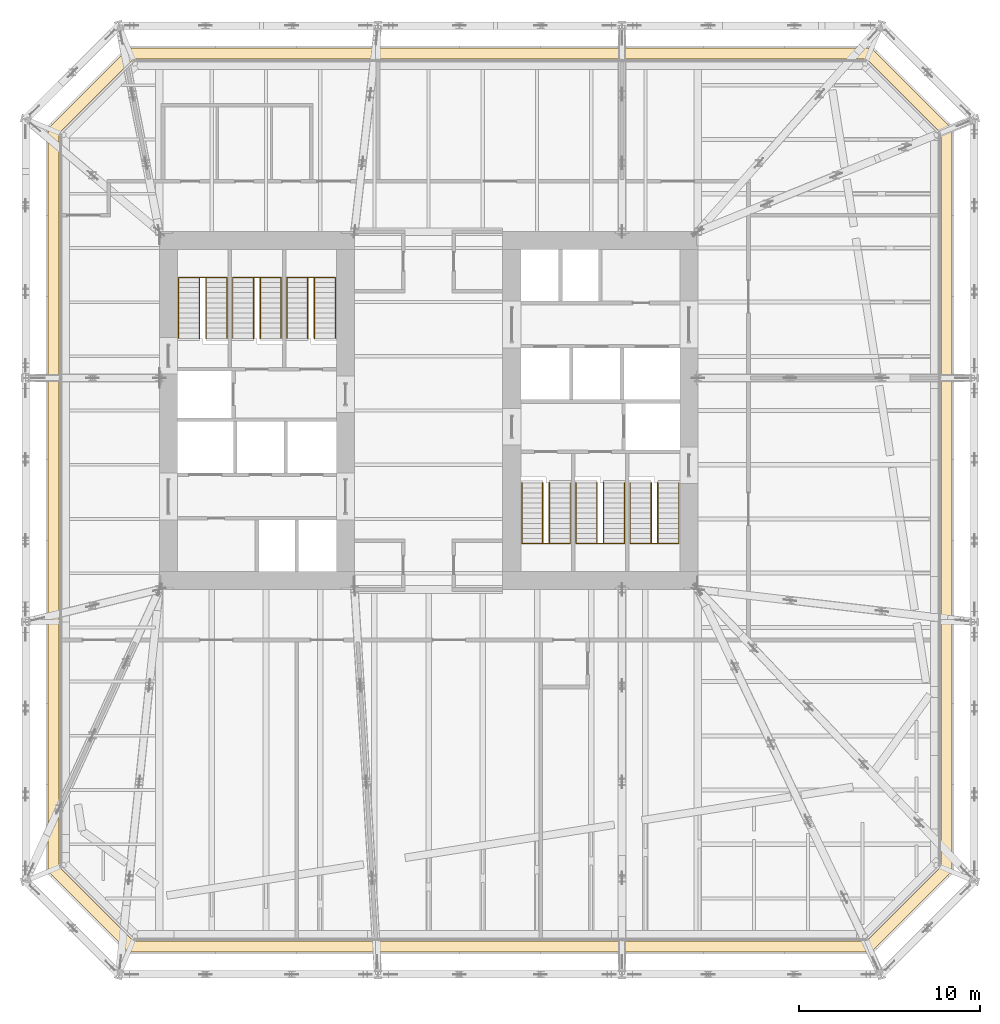
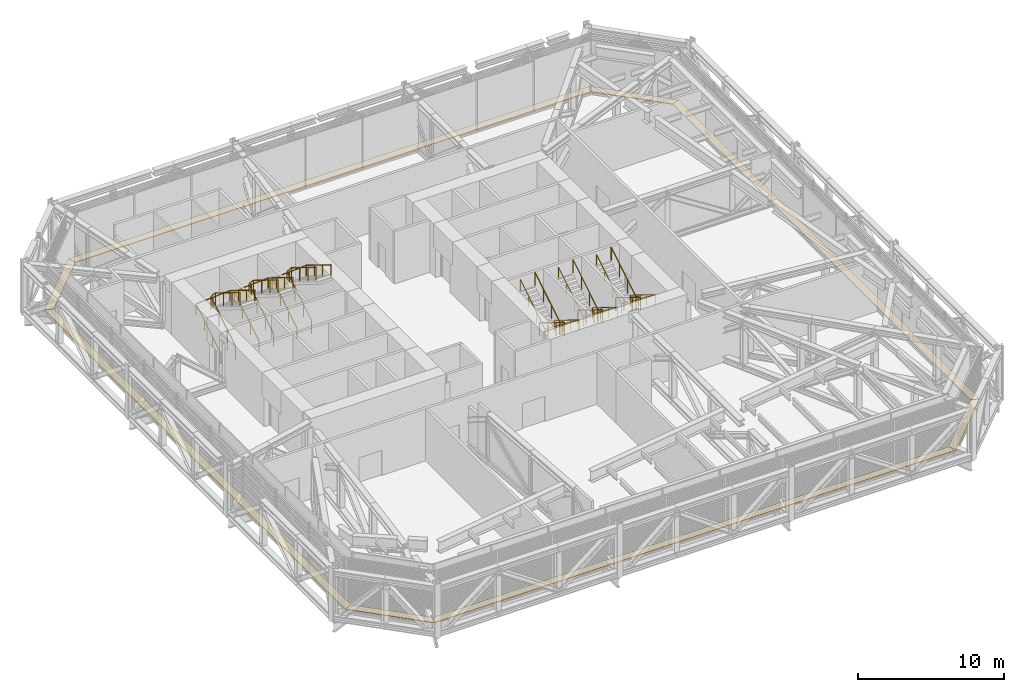
# One storey, part 31 of 31: 12 railings, 8 coverings.
"""IFC4 building model written with IfcOpenShell, lengths in metres."""

from ifc_helpers import new_model, si_unit, direction, frame, origin, origin_2d, place, context, subcontext, project, spatial, polyline, circle, outline, extrude, material, layer, layer_set, type_object, element, save


model = new_model("IFC4")

# Units and contexts
model_context = context("Model", 3, precision=1e-05, world=origin(), true_north=direction((0.0, 1.0)))
body_context = subcontext(model_context, "Body", "Model", "MODEL_VIEW")
ifc_project = project(units=[si_unit("LENGTHUNIT", "METRE"), si_unit("AREAUNIT", "SQUARE_METRE"), si_unit("VOLUMEUNIT", "CUBIC_METRE"), si_unit("PLANEANGLEUNIT", "RADIAN"), si_unit("MASSUNIT", "GRAM", prefix="KILO")], contexts=[model_context])

# Site, building, storey
site_placement = place(None, origin())
site = spatial("IfcSite", under=ifc_project, at=site_placement, CompositionType="ELEMENT")
building_placement = place(site_placement, origin())
building = spatial("IfcBuilding", under=site, at=building_placement, Name="Millrace Tower", CompositionType="ELEMENT")
storey_placement = place(building_placement, frame((0.0, 0.0, 120.39990234375)))
storey = spatial("IfcBuildingStorey", under=building, at=storey_placement, Name="L26", CompositionType="ELEMENT", Elevation=120.39990234375)

# Coverings
ifc_material_1 = material(Name="Steel ASTM A36", Category="steel")
ifc_layer = layer(ifc_material_1, 0.050048828125)
ifc_layer_set = layer_set([ifc_layer], Name="Steel ASTM A36")
covering_type = type_object("IfcCoveringType", Name="CAVITY CATWALK steel grating", PredefinedType="FLOORING", material=ifc_layer_set)
placement = place(storey_placement, frame((0.0, 0.0, 0.10009765625)))
element("IfcCovering", 1, at=placement, inside=storey, type_object=covering_type, Name="Cavity catwalk grating B-F01 L26 1", PredefinedType="FLOORING", context=body_context, shape_type="SweptSolid", body=[
    extrude(outline(polyline([(-21.050048828125, -25.5107421875), (-16.610595703125, -29.949951171875), (-16.362060546875, -29.35009765625), (-20.449951171875, -25.26220703125), (-21.050048828125, -25.5107421875)])), origin(), (0.0, 0.0, 1.0), 0.050048828125),
])
element("IfcCovering", 2, at=placement, inside=storey, type_object=covering_type, Name="Cavity catwalk grating B-F02 L26 1", PredefinedType="FLOORING", context=body_context, shape_type="SweptSolid", body=[
    extrude(outline(polyline([(-16.610595703125, -29.949951171875), (24.5107421875, -29.949951171875), (24.26220703125, -29.35009765625), (-16.362060546875, -29.35009765625), (-16.610595703125, -29.949951171875)])), origin(), (0.0, 0.0, 1.0), 0.050048828125),
])
element("IfcCovering", 3, at=placement, inside=storey, type_object=covering_type, Name="Cavity catwalk grating B-F03 L26 1", PredefinedType="FLOORING", context=body_context, shape_type="SweptSolid", body=[
    extrude(outline(polyline([(24.5107421875, -29.949951171875), (28.949951171875, -25.5107421875), (28.35009765625, -25.26220703125), (24.26220703125, -29.35009765625), (24.5107421875, -29.949951171875)])), origin(), (0.0, 0.0, 1.0), 0.050048828125),
])
element("IfcCovering", 4, at=placement, inside=storey, type_object=covering_type, Name="Cavity catwalk grating B-F04 L26 1", PredefinedType="FLOORING", context=body_context, shape_type="SweptSolid", body=[
    extrude(outline(polyline([(28.949951171875, -25.5107421875), (28.949951171875, 15.610595703125), (28.35009765625, 15.362060546875), (28.35009765625, -25.26220703125), (28.949951171875, -25.5107421875)])), origin(), (0.0, 0.0, 1.0), 0.050048828125),
])
element("IfcCovering", 5, at=placement, inside=storey, type_object=covering_type, Name="Cavity catwalk grating B-F05 L26 1", PredefinedType="FLOORING", context=body_context, shape_type="SweptSolid", body=[
    extrude(outline(polyline([(28.949951171875, 15.610595703125), (24.5107421875, 20.050048828125), (24.26220703125, 19.449951171875), (28.35009765625, 15.362060546875), (28.949951171875, 15.610595703125)])), origin(), (0.0, 0.0, 1.0), 0.050048828125),
])
element("IfcCovering", 6, at=placement, inside=storey, type_object=covering_type, Name="Cavity catwalk grating B-F06 L26 1", PredefinedType="FLOORING", context=body_context, shape_type="SweptSolid", body=[
    extrude(outline(polyline([(24.5107421875, 20.050048828125), (-16.610595703125, 20.050048828125), (-16.362060546875, 19.449951171875), (24.26220703125, 19.449951171875), (24.5107421875, 20.050048828125)])), origin(), (0.0, 0.0, 1.0), 0.050048828125),
])
element("IfcCovering", 7, at=placement, inside=storey, type_object=covering_type, Name="Cavity catwalk grating B-F07 L26 1", PredefinedType="FLOORING", context=body_context, shape_type="SweptSolid", body=[
    extrude(outline(polyline([(-16.610595703125, 20.050048828125), (-21.050048828125, 15.610595703125), (-20.449951171875, 15.362060546875), (-16.362060546875, 19.449951171875), (-16.610595703125, 20.050048828125)])), origin(), (0.0, 0.0, 1.0), 0.050048828125),
])
element("IfcCovering", 8, at=placement, inside=storey, type_object=covering_type, Name="Cavity catwalk grating B-F08 L26 1", PredefinedType="FLOORING", context=body_context, shape_type="SweptSolid", body=[
    extrude(outline(polyline([(-21.050048828125, 15.610595703125), (-21.050048828125, -25.5107421875), (-20.449951171875, -25.26220703125), (-20.449951171875, 15.362060546875), (-21.050048828125, 15.610595703125)])), origin(), (0.0, 0.0, 1.0), 0.050048828125),
])

# Railings
ifc_material_2 = material(Name="Stainless steel ASTM A240 type 316", Category="steel")
railing_type_1 = type_object("IfcRailingType", Name="Stair guard 1100", PredefinedType="GUARDRAIL", material=ifc_material_2)
for number, where, name in (
    (9, (-12.679931640625, 4.0, 0.173095703125), "Stair guard 1 W L26"),
    (10, (-9.679931640625, 4.0, 0.173095703125), "Stair guard 2 W L26"),
    (11, (-6.679931640625, 4.0, 0.173095703125), "Stair guard 3 W L26"),
):
    element("IfcRailing", number, at=place(storey_placement, frame(where)), inside=storey, type_object=railing_type_1, Name=name, PredefinedType="GUARDRAIL", context=body_context, shape_type="SweptSolid", body=[
        extrude(circle(Radius=0.02392578125, at=origin_2d()), frame((0.0, 0.0, 1.076171875), z_axis=(0.0, 0.850623216509, 0.525775754039), x_axis=(-1.0, 0.0, 0.0)), (0.0, 0.0, 1.0), 3.9501953125),
        extrude(circle(Radius=0.02392578125, at=origin_2d()), frame((0.0, 3.360107421875, 3.15283203125), z_axis=(0.901169764794, 0.0, 0.433466325128), x_axis=(0.0, 1.0, 0.0)), (0.0, 0.0, 1.0), 0.3994140625),
        extrude(circle(Radius=0.02392578125, at=origin_2d()), frame((0.35986328125, 3.360107421875, 3.326171875), z_axis=(0.0, -0.850623216509, 0.525775754039), x_axis=(1.0, 0.0, 0.0)), (0.0, 0.0, 1.0), 3.9501953125),
        extrude(circle(Radius=0.02099609375, at=origin_2d()), origin(), (0.0, 0.0, 1.0), 1.052001953125),
        extrude(circle(Radius=0.02099609375, at=origin_2d()), frame((0.0, 1.1201171875, 0.6923828125)), (0.0, 0.0, 1.0), 1.052001953125),
        extrude(circle(Radius=0.02099609375, at=origin_2d()), frame((0.0, 2.239990234375, 1.384521484375)), (0.0, 0.0, 1.0), 1.052001953125),
        extrude(circle(Radius=0.02099609375, at=origin_2d()), frame((0.0, 3.360107421875, 2.076904296875)), (0.0, 0.0, 1.0), 1.052001953125),
        extrude(circle(Radius=0.02099609375, at=origin_2d()), frame((0.35986328125, 3.360107421875, 2.25)), (0.0, 0.0, 1.0), 1.052001953125),
        extrude(circle(Radius=0.02099609375, at=origin_2d()), frame((0.35986328125, 2.239990234375, 2.9423828125)), (0.0, 0.0, 1.0), 1.052001953125),
        extrude(circle(Radius=0.02099609375, at=origin_2d()), frame((0.35986328125, 1.1201171875, 3.634521484375)), (0.0, 0.0, 1.0), 1.052001953125),
        extrude(circle(Radius=0.02099609375, at=origin_2d()), frame((0.35986328125, 0.0, 4.326904296875)), (0.0, 0.0, 1.0), 1.052001953125),
    ])
for number, where, name in (
    (12, (12.679931640625, -4.0, 0.173095703125), "Stair guard 1 E L26"),
    (13, (9.679931640625, -4.0, 0.173095703125), "Stair guard 2 E L26"),
    (14, (6.679931640625, -4.0, 0.173095703125), "Stair guard 3 E L26"),
):
    element("IfcRailing", number, at=place(storey_placement, frame(where)), inside=storey, type_object=railing_type_1, Name=name, PredefinedType="GUARDRAIL", context=body_context, shape_type="SweptSolid", body=[
        extrude(circle(Radius=0.02392578125, at=origin_2d()), frame((0.0, 0.0, 1.076171875), z_axis=(0.0, -0.850623216509, 0.525775754039), x_axis=(1.0, 0.0, 0.0)), (0.0, 0.0, 1.0), 3.9501953125),
        extrude(circle(Radius=0.02392578125, at=origin_2d()), frame((0.0, -3.360107421875, 3.15283203125), z_axis=(-0.901169764794, 0.0, 0.433466325128), x_axis=(0.0, -1.0, 0.0)), (0.0, 0.0, 1.0), 0.3994140625),
        extrude(circle(Radius=0.02392578125, at=origin_2d()), frame((-0.35986328125, -3.360107421875, 3.326171875), z_axis=(0.0, 0.850623216509, 0.525775754039), x_axis=(-1.0, 0.0, 0.0)), (0.0, 0.0, 1.0), 3.9501953125),
        extrude(circle(Radius=0.02099609375, at=origin_2d()), origin(), (0.0, 0.0, 1.0), 1.052001953125),
        extrude(circle(Radius=0.02099609375, at=origin_2d()), frame((0.0, -1.1201171875, 0.6923828125)), (0.0, 0.0, 1.0), 1.052001953125),
        extrude(circle(Radius=0.02099609375, at=origin_2d()), frame((0.0, -2.239990234375, 1.384521484375)), (0.0, 0.0, 1.0), 1.052001953125),
        extrude(circle(Radius=0.02099609375, at=origin_2d()), frame((0.0, -3.360107421875, 2.076904296875)), (0.0, 0.0, 1.0), 1.052001953125),
        extrude(circle(Radius=0.02099609375, at=origin_2d()), frame((-0.35986328125, -3.360107421875, 2.25)), (0.0, 0.0, 1.0), 1.052001953125),
        extrude(circle(Radius=0.02099609375, at=origin_2d()), frame((-0.35986328125, -2.239990234375, 2.9423828125)), (0.0, 0.0, 1.0), 1.052001953125),
        extrude(circle(Radius=0.02099609375, at=origin_2d()), frame((-0.35986328125, -1.1201171875, 3.634521484375)), (0.0, 0.0, 1.0), 1.052001953125),
        extrude(circle(Radius=0.02099609375, at=origin_2d()), frame((-0.35986328125, 0.0, 4.326904296875)), (0.0, 0.0, 1.0), 1.052001953125),
    ])
ifc_material_3 = material(Name="Stainless steel ASTM A240 type 316", Category="steel")
railing_type_2 = type_object("IfcRailingType", Name="Stair handrail 900", PredefinedType="HANDRAIL", material=ifc_material_3)
railing_1_placement = place(storey_placement, frame((-13.840087890625, 4.0, 0.173095703125)))
element("IfcRailing", 15, at=railing_1_placement, inside=storey, type_object=railing_type_2, Name="Stair handrail 1 W L26", PredefinedType="HANDRAIL", context=body_context, shape_type="SweptSolid", body=[
    extrude(circle(Radius=0.02392578125, at=origin_2d()), frame((0.0, 0.0, 0.8759765625), z_axis=(0.0, 0.850623216509, 0.525775754039), x_axis=(-1.0, 0.0, 0.0)), (0.0, 0.0, 1.0), 3.9501953125),
    extrude(circle(Radius=0.02392578125, at=origin_2d()), frame((0.0, 3.360107421875, 2.95263671875), z_axis=(0.997920973561, 0.0, 0.064449441634), x_axis=(0.0, 1.0, 0.0)), (0.0, 0.0, 1.0), 2.685791015625),
    extrude(circle(Radius=0.02392578125, at=origin_2d()), frame((2.68017578125, 3.360107421875, 3.1259765625), z_axis=(0.0, -0.850623216509, 0.525775754039), x_axis=(1.0, 0.0, 0.0)), (0.0, 0.0, 1.0), 3.9501953125),
    extrude(circle(Radius=0.02099609375, at=origin_2d()), origin(), (0.0, 0.0, 1.0), 0.851806640625),
    extrude(circle(Radius=0.02099609375, at=origin_2d()), frame((0.0, 1.1201171875, 0.6923828125)), (0.0, 0.0, 1.0), 0.851806640625),
    extrude(circle(Radius=0.02099609375, at=origin_2d()), frame((0.0, 2.239990234375, 1.384521484375)), (0.0, 0.0, 1.0), 0.851806640625),
    extrude(circle(Radius=0.02099609375, at=origin_2d()), frame((0.0, 3.360107421875, 2.076904296875)), (0.0, 0.0, 1.0), 0.851806640625),
    extrude(circle(Radius=0.02099609375, at=origin_2d()), frame((1.340087890625, 3.360107421875, 2.16357421875)), (0.0, 0.0, 1.0), 0.851806640625),
    extrude(circle(Radius=0.02099609375, at=origin_2d()), frame((2.68017578125, 3.360107421875, 2.25)), (0.0, 0.0, 1.0), 0.851806640625),
    extrude(circle(Radius=0.02099609375, at=origin_2d()), frame((2.68017578125, 2.239990234375, 2.9423828125)), (0.0, 0.0, 1.0), 0.851806640625),
    extrude(circle(Radius=0.02099609375, at=origin_2d()), frame((2.68017578125, 1.1201171875, 3.634521484375)), (0.0, 0.0, 1.0), 0.851806640625),
    extrude(circle(Radius=0.02099609375, at=origin_2d()), frame((2.68017578125, 0.0, 4.326904296875)), (0.0, 0.0, 1.0), 0.851806640625),
])
railing_2_placement = place(storey_placement, frame((-10.840087890625, 4.0, 0.173095703125)))
element("IfcRailing", 16, at=railing_2_placement, inside=storey, type_object=railing_type_2, Name="Stair handrail 2 W L26", PredefinedType="HANDRAIL", context=body_context, shape_type="SweptSolid", body=[
    extrude(circle(Radius=0.02392578125, at=origin_2d()), frame((0.0, 0.0, 0.8759765625), z_axis=(0.0, 0.850623216509, 0.525775754039), x_axis=(-1.0, 0.0, 0.0)), (0.0, 0.0, 1.0), 3.9501953125),
    extrude(circle(Radius=0.02392578125, at=origin_2d()), frame((0.0, 3.360107421875, 2.95263671875), z_axis=(0.997920973561, 0.0, 0.064449441634), x_axis=(0.0, 1.0, 0.0)), (0.0, 0.0, 1.0), 2.685791015625),
    extrude(circle(Radius=0.02392578125, at=origin_2d()), frame((2.68017578125, 3.360107421875, 3.1259765625), z_axis=(0.0, -0.850623216509, 0.525775754039), x_axis=(1.0, 0.0, 0.0)), (0.0, 0.0, 1.0), 3.9501953125),
    extrude(circle(Radius=0.02099609375, at=origin_2d()), origin(), (0.0, 0.0, 1.0), 0.851806640625),
    extrude(circle(Radius=0.02099609375, at=origin_2d()), frame((0.0, 1.1201171875, 0.6923828125)), (0.0, 0.0, 1.0), 0.851806640625),
    extrude(circle(Radius=0.02099609375, at=origin_2d()), frame((0.0, 2.239990234375, 1.384521484375)), (0.0, 0.0, 1.0), 0.851806640625),
    extrude(circle(Radius=0.02099609375, at=origin_2d()), frame((0.0, 3.360107421875, 2.076904296875)), (0.0, 0.0, 1.0), 0.851806640625),
    extrude(circle(Radius=0.02099609375, at=origin_2d()), frame((1.340087890625, 3.360107421875, 2.16357421875)), (0.0, 0.0, 1.0), 0.851806640625),
    extrude(circle(Radius=0.02099609375, at=origin_2d()), frame((2.68017578125, 3.360107421875, 2.25)), (0.0, 0.0, 1.0), 0.851806640625),
    extrude(circle(Radius=0.02099609375, at=origin_2d()), frame((2.68017578125, 2.239990234375, 2.9423828125)), (0.0, 0.0, 1.0), 0.851806640625),
    extrude(circle(Radius=0.02099609375, at=origin_2d()), frame((2.68017578125, 1.1201171875, 3.634521484375)), (0.0, 0.0, 1.0), 0.851806640625),
    extrude(circle(Radius=0.02099609375, at=origin_2d()), frame((2.68017578125, 0.0, 4.326904296875)), (0.0, 0.0, 1.0), 0.851806640625),
])
railing_3_placement = place(storey_placement, frame((-7.840087890625, 4.0, 0.173095703125)))
element("IfcRailing", 17, at=railing_3_placement, inside=storey, type_object=railing_type_2, Name="Stair handrail 3 W L26", PredefinedType="HANDRAIL", context=body_context, shape_type="SweptSolid", body=[
    extrude(circle(Radius=0.02392578125, at=origin_2d()), frame((0.0, 0.0, 0.8759765625), z_axis=(0.0, 0.850623216509, 0.525775754039), x_axis=(-1.0, 0.0, 0.0)), (0.0, 0.0, 1.0), 3.9501953125),
    extrude(circle(Radius=0.02392578125, at=origin_2d()), frame((0.0, 3.360107421875, 2.95263671875), z_axis=(0.997920973561, 0.0, 0.064449441634), x_axis=(0.0, 1.0, 0.0)), (0.0, 0.0, 1.0), 2.685791015625),
    extrude(circle(Radius=0.02392578125, at=origin_2d()), frame((2.68017578125, 3.360107421875, 3.1259765625), z_axis=(0.0, -0.850623216509, 0.525775754039), x_axis=(1.0, 0.0, 0.0)), (0.0, 0.0, 1.0), 3.9501953125),
    extrude(circle(Radius=0.02099609375, at=origin_2d()), origin(), (0.0, 0.0, 1.0), 0.851806640625),
    extrude(circle(Radius=0.02099609375, at=origin_2d()), frame((0.0, 1.1201171875, 0.6923828125)), (0.0, 0.0, 1.0), 0.851806640625),
    extrude(circle(Radius=0.02099609375, at=origin_2d()), frame((0.0, 2.239990234375, 1.384521484375)), (0.0, 0.0, 1.0), 0.851806640625),
    extrude(circle(Radius=0.02099609375, at=origin_2d()), frame((0.0, 3.360107421875, 2.076904296875)), (0.0, 0.0, 1.0), 0.851806640625),
    extrude(circle(Radius=0.02099609375, at=origin_2d()), frame((1.340087890625, 3.360107421875, 2.16357421875)), (0.0, 0.0, 1.0), 0.851806640625),
    extrude(circle(Radius=0.02099609375, at=origin_2d()), frame((2.68017578125, 3.360107421875, 2.25)), (0.0, 0.0, 1.0), 0.851806640625),
    extrude(circle(Radius=0.02099609375, at=origin_2d()), frame((2.68017578125, 2.239990234375, 2.9423828125)), (0.0, 0.0, 1.0), 0.851806640625),
    extrude(circle(Radius=0.02099609375, at=origin_2d()), frame((2.68017578125, 1.1201171875, 3.634521484375)), (0.0, 0.0, 1.0), 0.851806640625),
    extrude(circle(Radius=0.02099609375, at=origin_2d()), frame((2.68017578125, 0.0, 4.326904296875)), (0.0, 0.0, 1.0), 0.851806640625),
])
railing_4_placement = place(storey_placement, frame((13.840087890625, -4.0, 0.173095703125)))
element("IfcRailing", 18, at=railing_4_placement, inside=storey, type_object=railing_type_2, Name="Stair handrail 1 E L26", PredefinedType="HANDRAIL", context=body_context, shape_type="SweptSolid", body=[
    extrude(circle(Radius=0.02392578125, at=origin_2d()), frame((0.0, 0.0, 0.8759765625), z_axis=(0.0, -0.850623216509, 0.525775754039), x_axis=(1.0, 0.0, 0.0)), (0.0, 0.0, 1.0), 3.9501953125),
    extrude(circle(Radius=0.02392578125, at=origin_2d()), frame((0.0, -3.360107421875, 2.95263671875), z_axis=(-0.997920973561, 0.0, 0.064449441634), x_axis=(0.0, -1.0, 0.0)), (0.0, 0.0, 1.0), 2.685791015625),
    extrude(circle(Radius=0.02392578125, at=origin_2d()), frame((-2.68017578125, -3.360107421875, 3.1259765625), z_axis=(0.0, 0.850623216509, 0.525775754039), x_axis=(-1.0, 0.0, 0.0)), (0.0, 0.0, 1.0), 3.9501953125),
    extrude(circle(Radius=0.02099609375, at=origin_2d()), origin(), (0.0, 0.0, 1.0), 0.851806640625),
    extrude(circle(Radius=0.02099609375, at=origin_2d()), frame((0.0, -1.1201171875, 0.6923828125)), (0.0, 0.0, 1.0), 0.851806640625),
    extrude(circle(Radius=0.02099609375, at=origin_2d()), frame((0.0, -2.239990234375, 1.384521484375)), (0.0, 0.0, 1.0), 0.851806640625),
    extrude(circle(Radius=0.02099609375, at=origin_2d()), frame((0.0, -3.360107421875, 2.076904296875)), (0.0, 0.0, 1.0), 0.851806640625),
    extrude(circle(Radius=0.02099609375, at=origin_2d()), frame((-1.340087890625, -3.360107421875, 2.16357421875)), (0.0, 0.0, 1.0), 0.851806640625),
    extrude(circle(Radius=0.02099609375, at=origin_2d()), frame((-2.68017578125, -3.360107421875, 2.25)), (0.0, 0.0, 1.0), 0.851806640625),
    extrude(circle(Radius=0.02099609375, at=origin_2d()), frame((-2.68017578125, -2.239990234375, 2.9423828125)), (0.0, 0.0, 1.0), 0.851806640625),
    extrude(circle(Radius=0.02099609375, at=origin_2d()), frame((-2.68017578125, -1.1201171875, 3.634521484375)), (0.0, 0.0, 1.0), 0.851806640625),
    extrude(circle(Radius=0.02099609375, at=origin_2d()), frame((-2.68017578125, 0.0, 4.326904296875)), (0.0, 0.0, 1.0), 0.851806640625),
])
railing_5_placement = place(storey_placement, frame((10.840087890625, -4.0, 0.173095703125)))
element("IfcRailing", 19, at=railing_5_placement, inside=storey, type_object=railing_type_2, Name="Stair handrail 2 E L26", PredefinedType="HANDRAIL", context=body_context, shape_type="SweptSolid", body=[
    extrude(circle(Radius=0.02392578125, at=origin_2d()), frame((0.0, 0.0, 0.8759765625), z_axis=(0.0, -0.850623216509, 0.525775754039), x_axis=(1.0, 0.0, 0.0)), (0.0, 0.0, 1.0), 3.9501953125),
    extrude(circle(Radius=0.02392578125, at=origin_2d()), frame((0.0, -3.360107421875, 2.95263671875), z_axis=(-0.997920973561, 0.0, 0.064449441634), x_axis=(0.0, -1.0, 0.0)), (0.0, 0.0, 1.0), 2.685791015625),
    extrude(circle(Radius=0.02392578125, at=origin_2d()), frame((-2.68017578125, -3.360107421875, 3.1259765625), z_axis=(0.0, 0.850623216509, 0.525775754039), x_axis=(-1.0, 0.0, 0.0)), (0.0, 0.0, 1.0), 3.9501953125),
    extrude(circle(Radius=0.02099609375, at=origin_2d()), origin(), (0.0, 0.0, 1.0), 0.851806640625),
    extrude(circle(Radius=0.02099609375, at=origin_2d()), frame((0.0, -1.1201171875, 0.6923828125)), (0.0, 0.0, 1.0), 0.851806640625),
    extrude(circle(Radius=0.02099609375, at=origin_2d()), frame((0.0, -2.239990234375, 1.384521484375)), (0.0, 0.0, 1.0), 0.851806640625),
    extrude(circle(Radius=0.02099609375, at=origin_2d()), frame((0.0, -3.360107421875, 2.076904296875)), (0.0, 0.0, 1.0), 0.851806640625),
    extrude(circle(Radius=0.02099609375, at=origin_2d()), frame((-1.340087890625, -3.360107421875, 2.16357421875)), (0.0, 0.0, 1.0), 0.851806640625),
    extrude(circle(Radius=0.02099609375, at=origin_2d()), frame((-2.68017578125, -3.360107421875, 2.25)), (0.0, 0.0, 1.0), 0.851806640625),
    extrude(circle(Radius=0.02099609375, at=origin_2d()), frame((-2.68017578125, -2.239990234375, 2.9423828125)), (0.0, 0.0, 1.0), 0.851806640625),
    extrude(circle(Radius=0.02099609375, at=origin_2d()), frame((-2.68017578125, -1.1201171875, 3.634521484375)), (0.0, 0.0, 1.0), 0.851806640625),
    extrude(circle(Radius=0.02099609375, at=origin_2d()), frame((-2.68017578125, 0.0, 4.326904296875)), (0.0, 0.0, 1.0), 0.851806640625),
])
railing_6_placement = place(storey_placement, frame((7.840087890625, -4.0, 0.173095703125)))
element("IfcRailing", 20, at=railing_6_placement, inside=storey, type_object=railing_type_2, Name="Stair handrail 3 E L26", PredefinedType="HANDRAIL", context=body_context, shape_type="SweptSolid", body=[
    extrude(circle(Radius=0.02392578125, at=origin_2d()), frame((0.0, 0.0, 0.8759765625), z_axis=(0.0, -0.850623216509, 0.525775754039), x_axis=(1.0, 0.0, 0.0)), (0.0, 0.0, 1.0), 3.9501953125),
    extrude(circle(Radius=0.02392578125, at=origin_2d()), frame((0.0, -3.360107421875, 2.95263671875), z_axis=(-0.997920973561, 0.0, 0.064449441634), x_axis=(0.0, -1.0, 0.0)), (0.0, 0.0, 1.0), 2.685791015625),
    extrude(circle(Radius=0.02392578125, at=origin_2d()), frame((-2.68017578125, -3.360107421875, 3.1259765625), z_axis=(0.0, 0.850623216509, 0.525775754039), x_axis=(-1.0, 0.0, 0.0)), (0.0, 0.0, 1.0), 3.9501953125),
    extrude(circle(Radius=0.02099609375, at=origin_2d()), origin(), (0.0, 0.0, 1.0), 0.851806640625),
    extrude(circle(Radius=0.02099609375, at=origin_2d()), frame((0.0, -1.1201171875, 0.6923828125)), (0.0, 0.0, 1.0), 0.851806640625),
    extrude(circle(Radius=0.02099609375, at=origin_2d()), frame((0.0, -2.239990234375, 1.384521484375)), (0.0, 0.0, 1.0), 0.851806640625),
    extrude(circle(Radius=0.02099609375, at=origin_2d()), frame((0.0, -3.360107421875, 2.076904296875)), (0.0, 0.0, 1.0), 0.851806640625),
    extrude(circle(Radius=0.02099609375, at=origin_2d()), frame((-1.340087890625, -3.360107421875, 2.16357421875)), (0.0, 0.0, 1.0), 0.851806640625),
    extrude(circle(Radius=0.02099609375, at=origin_2d()), frame((-2.68017578125, -3.360107421875, 2.25)), (0.0, 0.0, 1.0), 0.851806640625),
    extrude(circle(Radius=0.02099609375, at=origin_2d()), frame((-2.68017578125, -2.239990234375, 2.9423828125)), (0.0, 0.0, 1.0), 0.851806640625),
    extrude(circle(Radius=0.02099609375, at=origin_2d()), frame((-2.68017578125, -1.1201171875, 3.634521484375)), (0.0, 0.0, 1.0), 0.851806640625),
    extrude(circle(Radius=0.02099609375, at=origin_2d()), frame((-2.68017578125, 0.0, 4.326904296875)), (0.0, 0.0, 1.0), 0.851806640625),
])

save(model, "model.ifc")
